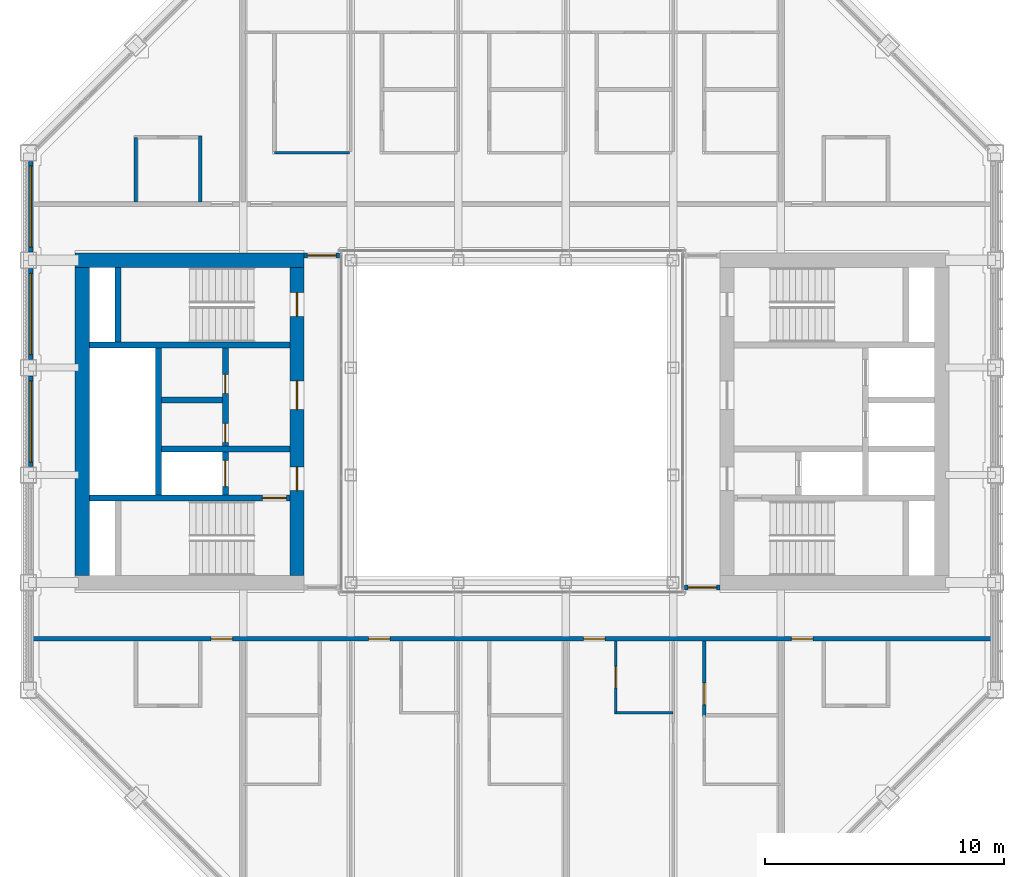
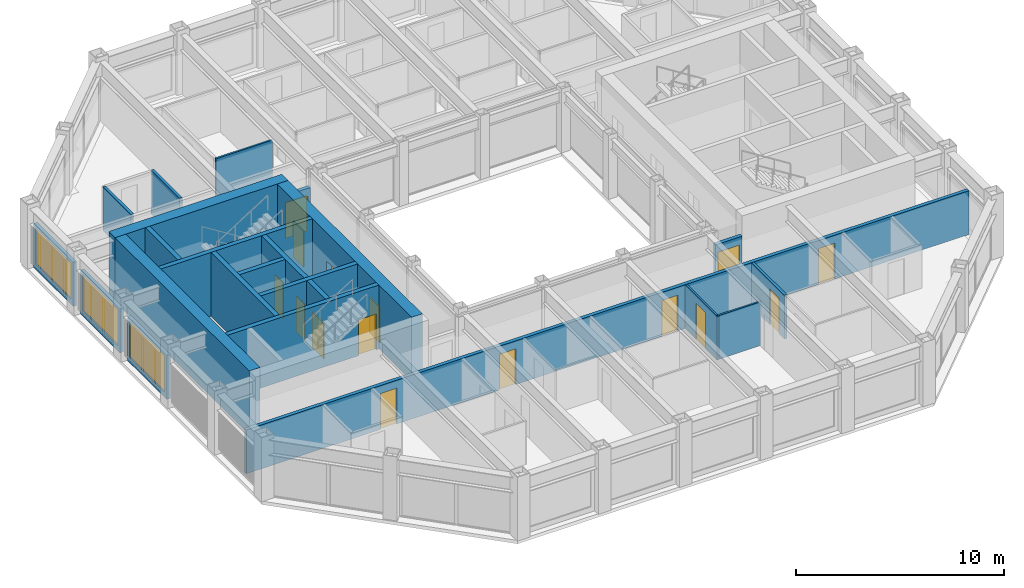
# One storey, part 10 of 17: 22 walls, 15 doors, 3 windows, 18 openings.
"""IFC4 building model written with IfcOpenShell, lengths in metres."""

from ifc_helpers import new_model, si_unit, direction, frame, frame_2d, origin, place, context, subcontext, project, spatial, rectangle, extrude, material, layer, layer_set, type_object, element, fill, save


model = new_model("IFC4")

# Units and contexts
model_context = context("Model", 3, precision=1e-05, world=origin(), true_north=direction((0.0, 1.0)))
body_context = subcontext(model_context, "Body", "Model", "MODEL_VIEW")
ifc_project = project(units=[si_unit("LENGTHUNIT", "METRE"), si_unit("AREAUNIT", "SQUARE_METRE"), si_unit("VOLUMEUNIT", "CUBIC_METRE"), si_unit("PLANEANGLEUNIT", "RADIAN"), si_unit("MASSUNIT", "GRAM", prefix="KILO")], contexts=[model_context])

# Site, building, storey
site_placement = place(None, origin())
site = spatial("IfcSite", under=ifc_project, at=site_placement, CompositionType="ELEMENT")
building_placement = place(site_placement, origin())
building = spatial("IfcBuilding", under=site, at=building_placement, Name="Msasa Ring Tower", CompositionType="ELEMENT")
storey_placement = place(building_placement, frame((0.0, 0.0, 253.300048828125)))
storey = spatial("IfcBuildingStorey", under=building, at=storey_placement, Name="L66", CompositionType="ELEMENT", Elevation=253.300048828125)

# Wall
ifc_material_1 = material(Name="Concrete C60/75", Category="concrete")
ifc_layer_1 = layer(ifc_material_1, 0.60009765625)
ifc_layer_set_1 = layer_set([ifc_layer_1], Name="CW3 CORE WALL 600")
wall_type_1 = type_object("IfcWallType", Name="CW3 CORE WALL 600", PredefinedType="SHEAR", material=ifc_layer_set_1)
wall_1_placement = place(storey_placement, frame((-8.699951171875, 6.75, 0.0), z_axis=(0.0, 0.0, 1.0), x_axis=(-1.0, 0.0, 0.0)))
element("IfcWall", 1, at=wall_1_placement, inside=storey, type_object=wall_type_1, Name="W core wall N L66", PredefinedType="SHEAR", context=body_context, shape_type="SweptSolid", body=[
    extrude(rectangle(XDim=9.60009765625, YDim=0.60009765625, at=frame_2d((4.800048828125, 0.0))), origin(), (0.0, 0.0, 1.0), 3.75),
])

# Wall, openings, doors
wall_2_placement = place(storey_placement, frame((-9.0, -6.449951171875, 0.0), z_axis=(0.0, 0.0, 1.0), x_axis=(0.0, 1.0, 0.0)))
wall_2 = element("IfcWall", 2, at=wall_2_placement, inside=storey, type_object=wall_type_1, Name="W core wall W L66", PredefinedType="SHEAR", context=body_context, shape_type="SweptSolid", body=[
    extrude(rectangle(XDim=12.89990234375, YDim=0.60009765625, at=frame_2d((6.449951171875, 0.0))), origin(), (0.0, 0.0, 1.0), 3.75),
])
opening_1_placement = place(wall_2_placement, frame((3.550048828125, 0.0, 0.0)))
opening_1 = element("IfcOpeningElement", 3, at=opening_1_placement, cuts=wall_2, Name="Opening SE-028", PredefinedType="OPENING", context=body_context, shape_type="SweptSolid", body=[
    extrude(rectangle(XDim=1.0, YDim=2.10009765625, at=frame_2d((0.5, 1.050048828125))), frame((0.0, 0.31005859375, 0.0), z_axis=(0.0, -1.0, 0.0), x_axis=(1.0, 0.0, 0.0)), (0.0, 0.0, 1.0), 0.6201171875),
])
opening_2_placement = place(wall_2_placement, frame((6.949951171875, 0.0, 0.0)))
opening_2 = element("IfcOpeningElement", 4, at=opening_2_placement, cuts=wall_2, Name="Opening SE-025", PredefinedType="OPENING", context=body_context, shape_type="SweptSolid", body=[
    extrude(rectangle(XDim=1.199951171875, YDim=2.10009765625, at=frame_2d((0.60009765625, 1.050048828125))), frame((0.0, 0.31005859375, 0.0), z_axis=(0.0, -1.0, 0.0), x_axis=(1.0, 0.0, 0.0)), (0.0, 0.0, 1.0), 0.6201171875),
])
opening_3_placement = place(wall_2_placement, frame((10.85009765625, 0.0, 0.0)))
opening_3 = element("IfcOpeningElement", 5, at=opening_3_placement, cuts=wall_2, Name="Opening SE-022", PredefinedType="OPENING", context=body_context, shape_type="SweptSolid", body=[
    extrude(rectangle(XDim=1.0, YDim=2.10009765625, at=frame_2d((0.5, 1.050048828125))), frame((0.0, 0.31005859375, 0.0), z_axis=(0.0, -1.0, 0.0), x_axis=(1.0, 0.0, 0.0)), (0.0, 0.0, 1.0), 0.6201171875),
])
ifc_material_2 = material(Name="Timber door leaf in a steel frame", Category="steel")
door_type_1 = type_object("IfcDoorType", Name="D4 LOBBY DOOR 1000x2100", OperationType="SINGLE_SWING_LEFT", PredefinedType="DOOR", material=ifc_material_2)
door_1_placement = place(opening_1_placement, origin())
door_1 = element("IfcDoor", 6, at=door_1_placement, inside=storey, type_object=door_type_1, Name="Door L66-WFFL", OperationType="SINGLE_SWING_LEFT", OverallHeight=2.10009765625, OverallWidth=1.0, PredefinedType="DOOR", context=body_context, shape_type="SweptSolid", body=[
    extrude(rectangle(XDim=1.0, YDim=2.10009765625, at=frame_2d((0.5, 1.050048828125))), frame((0.0, 0.02490234375, 0.0), z_axis=(0.0, -1.0, 0.0), x_axis=(1.0, 0.0, 0.0)), (0.0, 0.0, 1.0), 0.050048828125),
])
fill(opening_1, door_1)
ifc_material_3 = material(Name="Timber door leaf in a steel frame", Category="steel")
door_type_2 = type_object("IfcDoorType", Name="D5 WIDE LOBBY DOOR 1200x2100", OperationType="SINGLE_SWING_LEFT", PredefinedType="DOOR", material=ifc_material_3)
door_2_placement = place(opening_2_placement, origin())
door_2 = element("IfcDoor", 7, at=door_2_placement, inside=storey, type_object=door_type_2, Name="Door L66-WLL", OperationType="SINGLE_SWING_RIGHT", OverallHeight=2.10009765625, OverallWidth=1.199951171875, PredefinedType="DOOR", context=body_context, shape_type="SweptSolid", body=[
    extrude(rectangle(XDim=1.199951171875, YDim=2.10009765625, at=frame_2d((0.60009765625, 1.050048828125))), frame((0.0, 0.02490234375, 0.0), z_axis=(0.0, -1.0, 0.0), x_axis=(1.0, 0.0, 0.0)), (0.0, 0.0, 1.0), 0.050048828125),
])
fill(opening_2, door_2)
ifc_material_4 = material(Name="Timber door leaf in a steel frame", Category="steel")
door_type_3 = type_object("IfcDoorType", Name="D6 STAIR DOOR 1000x2100", OperationType="SINGLE_SWING_LEFT", PredefinedType="DOOR", material=ifc_material_4)
door_3_placement = place(opening_3_placement, origin())
door_3 = element("IfcDoor", 8, at=door_3_placement, inside=storey, type_object=door_type_3, Name="Door L66-WSTB", OperationType="SINGLE_SWING_RIGHT", OverallHeight=2.10009765625, OverallWidth=1.0, PredefinedType="DOOR", context=body_context, shape_type="SweptSolid", body=[
    extrude(rectangle(XDim=1.0, YDim=2.10009765625, at=frame_2d((0.5, 1.050048828125))), frame((0.0, 0.02490234375, 0.0), z_axis=(0.0, -1.0, 0.0), x_axis=(1.0, 0.0, 0.0)), (0.0, 0.0, 1.0), 0.050048828125),
])
fill(opening_3, door_3)

# Wall
wall_3_placement = place(storey_placement, frame((-18.0, -6.449951171875, 0.0), z_axis=(0.0, 0.0, 1.0), x_axis=(0.0, 1.0, 0.0)))
element("IfcWall", 9, at=wall_3_placement, inside=storey, type_object=wall_type_1, Name="W core wall E L66", PredefinedType="SHEAR", context=body_context, shape_type="SweptSolid", body=[
    extrude(rectangle(XDim=12.89990234375, YDim=0.60009765625, at=frame_2d((6.449951171875, 0.0))), origin(), (0.0, 0.0, 1.0), 3.75),
])

# Wall, opening, door
ifc_material_5 = material(Name="Concrete C60/75", Category="concrete")
ifc_layer_2 = layer(ifc_material_5, 0.25)
ifc_layer_set_2 = layer_set([ifc_layer_2], Name="CW4 CORE INNER WALL 250")
wall_type_2 = type_object("IfcWallType", Name="CW4 CORE INNER WALL 250", PredefinedType="SHEAR", material=ifc_layer_set_2)
wall_4_placement = place(storey_placement, frame((-9.300048828125, -3.199951171875, 0.0), z_axis=(0.0, 0.0, 1.0), x_axis=(-1.0, 0.0, 0.0)))
wall_4 = element("IfcWall", 10, at=wall_4_placement, inside=storey, type_object=wall_type_2, Name="W core wall STAIRA L66", PredefinedType="SHEAR", context=body_context, shape_type="SweptSolid", body=[
    extrude(rectangle(XDim=8.39990234375, YDim=0.25, at=frame_2d((4.199951171875, 0.0))), origin(), (0.0, 0.0, 1.0), 3.75),
])
opening_4_placement = place(wall_4_placement, frame((0.14990234375, 0.0, 0.0)))
opening_4 = element("IfcOpeningElement", 11, at=opening_4_placement, cuts=wall_4, Name="Opening SE-030", PredefinedType="OPENING", context=body_context, shape_type="SweptSolid", body=[
    extrude(rectangle(XDim=1.0, YDim=2.10009765625, at=frame_2d((0.5, 1.050048828125))), frame((0.0, 0.135009765625, 0.0), z_axis=(0.0, -1.0, 0.0), x_axis=(1.0, 0.0, 0.0)), (0.0, 0.0, 1.0), 0.27001953125),
])
door_4_placement = place(opening_4_placement, origin())
door_4 = element("IfcDoor", 12, at=door_4_placement, inside=storey, type_object=door_type_3, Name="Door L66-WSTA", OperationType="SINGLE_SWING_LEFT", OverallHeight=2.10009765625, OverallWidth=1.0, PredefinedType="DOOR", context=body_context, shape_type="SweptSolid", body=[
    extrude(rectangle(XDim=1.0, YDim=2.10009765625, at=frame_2d((0.5, 1.050048828125))), frame((0.0, 0.02490234375, 0.0), z_axis=(0.0, -1.0, 0.0), x_axis=(1.0, 0.0, 0.0)), (0.0, 0.0, 1.0), 0.050048828125),
])
fill(opening_4, door_4)

# Walls
wall_5_placement = place(storey_placement, frame((-9.300048828125, 3.199951171875, 0.0), z_axis=(0.0, 0.0, 1.0), x_axis=(-1.0, 0.0, 0.0)))
element("IfcWall", 13, at=wall_5_placement, inside=storey, type_object=wall_type_2, Name="W core wall STAIRB L66", PredefinedType="SHEAR", context=body_context, shape_type="SweptSolid", body=[
    extrude(rectangle(XDim=8.39990234375, YDim=0.25, at=frame_2d((4.199951171875, 0.0))), origin(), (0.0, 0.0, 1.0), 3.75),
])
wall_6_placement = place(storey_placement, frame((-16.5, 3.324951171875, 0.0), z_axis=(0.0, 0.0, 1.0), x_axis=(0.0, 1.0, 0.0)))
element("IfcWall", 14, at=wall_6_placement, inside=storey, type_object=wall_type_2, Name="W core wall RISERB L66", PredefinedType="SHEAR", context=body_context, shape_type="SweptSolid", body=[
    extrude(rectangle(XDim=3.125, YDim=0.25, at=frame_2d((1.5625, 0.0))), origin(), (0.0, 0.0, 1.0), 3.75),
])
wall_7_placement = place(storey_placement, frame((-9.300048828125, -1.14990234375, 0.0), z_axis=(0.0, 0.0, 1.0), x_axis=(-1.0, 0.0, 0.0)))
element("IfcWall", 15, at=wall_7_placement, inside=storey, type_object=wall_type_2, Name="W core wall FFL L66", PredefinedType="SHEAR", context=body_context, shape_type="SweptSolid", body=[
    extrude(rectangle(XDim=5.375, YDim=0.25, at=frame_2d((2.6875, 0.0))), origin(), (0.0, 0.0, 1.0), 3.75),
])

# Wall, openings, doors
wall_8_placement = place(storey_placement, frame((-12.0, -3.074951171875, 0.0), z_axis=(0.0, 0.0, 1.0), x_axis=(0.0, 1.0, 0.0)))
wall_8 = element("IfcWall", 16, at=wall_8_placement, inside=storey, type_object=wall_type_2, Name="W core wall LOBBY L66", PredefinedType="SHEAR", context=body_context, shape_type="SweptSolid", body=[
    extrude(rectangle(XDim=6.14990234375, YDim=0.25, at=frame_2d((3.074951171875, 0.0))), origin(), (0.0, 0.0, 1.0), 3.75),
])
opening_5_placement = place(wall_8_placement, frame((2.199951171875, 0.0, 0.0)))
opening_5 = element("IfcOpeningElement", 17, at=opening_5_placement, cuts=wall_8, Name="Opening SE-027", PredefinedType="OPENING", context=body_context, shape_type="SweptSolid", body=[
    extrude(rectangle(XDim=0.800048828125, YDim=2.10009765625, at=frame_2d((0.39990234375, 1.050048828125))), frame((0.0, 0.135009765625, 0.0), z_axis=(0.0, -1.0, 0.0), x_axis=(1.0, 0.0, 0.0)), (0.0, 0.0, 1.0), 0.27001953125),
])
opening_6_placement = place(wall_8_placement, frame((4.25, 0.0, 0.0)))
opening_6 = element("IfcOpeningElement", 18, at=opening_6_placement, cuts=wall_8, Name="Opening SE-024", PredefinedType="OPENING", context=body_context, shape_type="SweptSolid", body=[
    extrude(rectangle(XDim=0.800048828125, YDim=2.10009765625, at=frame_2d((0.39990234375, 1.050048828125))), frame((0.0, 0.135009765625, 0.0), z_axis=(0.0, -1.0, 0.0), x_axis=(1.0, 0.0, 0.0)), (0.0, 0.0, 1.0), 0.27001953125),
])
opening_7_placement = place(wall_8_placement, frame((0.35009765625, 0.0, 0.0)))
opening_7 = element("IfcOpeningElement", 19, at=opening_7_placement, cuts=wall_8, Name="Opening LD1", PredefinedType="OPENING", context=body_context, shape_type="SweptSolid", body=[
    extrude(rectangle(XDim=1.10009765625, YDim=2.10009765625, at=frame_2d((0.550048828125, 1.050048828125))), frame((0.0, 0.135009765625, 0.0), z_axis=(0.0, -1.0, 0.0), x_axis=(1.0, 0.0, 0.0)), (0.0, 0.0, 1.0), 0.27001953125),
])
ifc_material_6 = material(Name="Timber door leaf in a steel frame", Category="steel")
door_type_4 = type_object("IfcDoorType", Name="D9 NARROW SERVICE DOOR 800x2100", OperationType="SINGLE_SWING_LEFT", PredefinedType="DOOR", material=ifc_material_6)
door_5_placement = place(opening_5_placement, origin())
door_5 = element("IfcDoor", 20, at=door_5_placement, inside=storey, type_object=door_type_4, Name="Door L66-WR1", OperationType="SINGLE_SWING_LEFT", OverallHeight=2.10009765625, OverallWidth=0.800048828125, PredefinedType="DOOR", context=body_context, shape_type="SweptSolid", body=[
    extrude(rectangle(XDim=0.800048828125, YDim=2.10009765625, at=frame_2d((0.39990234375, 1.050048828125))), frame((0.0, 0.02490234375, 0.0), z_axis=(0.0, -1.0, 0.0), x_axis=(1.0, 0.0, 0.0)), (0.0, 0.0, 1.0), 0.050048828125),
])
fill(opening_5, door_5)
door_6_placement = place(opening_6_placement, origin())
door_6 = element("IfcDoor", 21, at=door_6_placement, inside=storey, type_object=door_type_4, Name="Door L66-WR2", OperationType="SINGLE_SWING_RIGHT", OverallHeight=2.10009765625, OverallWidth=0.800048828125, PredefinedType="DOOR", context=body_context, shape_type="SweptSolid", body=[
    extrude(rectangle(XDim=0.800048828125, YDim=2.10009765625, at=frame_2d((0.39990234375, 1.050048828125))), frame((0.0, 0.02490234375, 0.0), z_axis=(0.0, -1.0, 0.0), x_axis=(1.0, 0.0, 0.0)), (0.0, 0.0, 1.0), 0.050048828125),
])
fill(opening_6, door_6)
ifc_material_7 = material(Name="Stainless steel lift landing door", Category="steel")
door_type_5 = type_object("IfcDoorType", Name="LD1 LIFT LANDING DOOR 1100x2100", OperationType="DOUBLE_DOOR_SLIDING", PredefinedType="DOOR", material=ifc_material_7)
door_7_placement = place(opening_7_placement, origin())
door_7 = element("IfcDoor", 22, at=door_7_placement, inside=storey, type_object=door_type_5, Name="Lift landing door FL-W L66", OperationType="DOUBLE_DOOR_SLIDING", OverallHeight=2.10009765625, OverallWidth=1.10009765625, PredefinedType="DOOR", context=body_context, shape_type="SweptSolid", body=[
    extrude(rectangle(XDim=1.10009765625, YDim=2.10009765625, at=frame_2d((0.550048828125, 1.050048828125))), frame((0.0, 0.02490234375, 0.0), z_axis=(0.0, -1.0, 0.0), x_axis=(1.0, 0.0, 0.0)), (0.0, 0.0, 1.0), 0.050048828125),
])
fill(opening_7, door_7)

# Walls
wall_9_placement = place(storey_placement, frame((-14.800048828125, -3.074951171875, 0.0), z_axis=(0.0, 0.0, 1.0), x_axis=(0.0, 1.0, 0.0)))
element("IfcWall", 23, at=wall_9_placement, inside=storey, type_object=wall_type_2, Name="W core wall SHAFT L66", PredefinedType="SHEAR", context=body_context, shape_type="SweptSolid", body=[
    extrude(rectangle(XDim=6.14990234375, YDim=0.25, at=frame_2d((3.074951171875, 0.0))), origin(), (0.0, 0.0, 1.0), 3.75),
])
wall_10_placement = place(storey_placement, frame((-12.125, 0.89990234375, 0.0), z_axis=(0.0, 0.0, 1.0), x_axis=(-1.0, 0.0, 0.0)))
element("IfcWall", 24, at=wall_10_placement, inside=storey, type_object=wall_type_2, Name="W core wall LIFT1 L66", PredefinedType="SHEAR", context=body_context, shape_type="SweptSolid", body=[
    extrude(rectangle(XDim=2.550048828125, YDim=0.25, at=frame_2d((1.27490234375, 0.0))), origin(), (0.0, 0.0, 1.0), 3.75),
])

# Wall, opening, window
ifc_material_8 = material(Name="Terracotta rainscreen on blockwork", Category="masonry")
ifc_layer_3 = layer(ifc_material_8, 0.199951171875)
ifc_layer_set_3 = layer_set([ifc_layer_3], Name="FW1 TERRACOTTA-LINED INFILL BAY WALL 200")
wall_type_3 = type_object("IfcWallType", Name="FW1 TERRACOTTA-LINED INFILL BAY WALL 200", PredefinedType="SOLIDWALL", material=ifc_layer_set_3)
wall_11_placement = place(storey_placement, frame((-20.14990234375, -1.89501953125, 0.0), z_axis=(0.0, 0.0, 1.0), x_axis=(0.0, 1.0, 0.0)))
wall_11 = element("IfcWall", 25, at=wall_11_placement, inside=storey, type_object=wall_type_3, Name="Infill bay wall W L66 23", PredefinedType="SOLIDWALL", context=body_context, shape_type="SweptSolid", body=[
    extrude(rectangle(XDim=3.7900390625, YDim=0.199951171875, at=frame_2d((1.89501953125, 0.0))), origin(), (0.0, 0.0, 1.0), 2.578857421875),
])
opening_8_placement = place(wall_11_placement, frame((0.195068359375, 0.0, 0.300048828125)))
opening_8 = element("IfcOpeningElement", 26, at=opening_8_placement, cuts=wall_11, Name="Opening WN8", PredefinedType="OPENING", context=body_context, shape_type="SweptSolid", body=[
    extrude(rectangle(XDim=3.39990234375, YDim=2.12890625, at=frame_2d((1.699951171875, 1.064453125))), frame((0.0, 0.10986328125, 0.0), z_axis=(0.0, -1.0, 0.0), x_axis=(1.0, 0.0, 0.0)), (0.0, 0.0, 1.0), 0.219970703125),
])
ifc_material_9 = material(Name="Aluminium frame with clear glass", Category="aluminium")
window_type = type_object("IfcWindowType", Name="WN8 SUITE WINDOW 3400x2129", PartitioningType="SINGLE_PANEL", PredefinedType="WINDOW", material=ifc_material_9)
window_1_placement = place(opening_8_placement, origin())
window_1 = element("IfcWindow", 27, at=window_1_placement, inside=storey, type_object=window_type, Name="Window W L66 23", OverallHeight=2.12890625, OverallWidth=3.39990234375, PartitioningType="SINGLE_PANEL", PredefinedType="WINDOW", context=body_context, shape_type="SweptSolid", body=[
    extrude(rectangle(XDim=3.39990234375, YDim=2.12890625, at=frame_2d((1.699951171875, 1.064453125))), frame((0.0, 0.030029296875, 0.0), z_axis=(0.0, -1.0, 0.0), x_axis=(1.0, 0.0, 0.0)), (0.0, 0.0, 1.0), 0.06005859375),
])
fill(opening_8, window_1)

wall_12_placement = place(storey_placement, frame((-20.14990234375, 2.60498046875, 0.0), z_axis=(0.0, 0.0, 1.0), x_axis=(0.0, 1.0, 0.0)))
wall_12 = element("IfcWall", 28, at=wall_12_placement, inside=storey, type_object=wall_type_3, Name="Infill bay wall W L66 24", PredefinedType="SOLIDWALL", context=body_context, shape_type="SweptSolid", body=[
    extrude(rectangle(XDim=3.7900390625, YDim=0.199951171875, at=frame_2d((1.89501953125, 0.0))), origin(), (0.0, 0.0, 1.0), 2.578857421875),
])
opening_9_placement = place(wall_12_placement, frame((0.195068359375, 0.0, 0.300048828125)))
opening_9 = element("IfcOpeningElement", 29, at=opening_9_placement, cuts=wall_12, Name="Opening WN8", PredefinedType="OPENING", context=body_context, shape_type="SweptSolid", body=[
    extrude(rectangle(XDim=3.39990234375, YDim=2.12890625, at=frame_2d((1.699951171875, 1.064453125))), frame((0.0, 0.10986328125, 0.0), z_axis=(0.0, -1.0, 0.0), x_axis=(1.0, 0.0, 0.0)), (0.0, 0.0, 1.0), 0.219970703125),
])
window_2_placement = place(opening_9_placement, origin())
window_2 = element("IfcWindow", 30, at=window_2_placement, inside=storey, type_object=window_type, Name="Window W L66 24", OverallHeight=2.12890625, OverallWidth=3.39990234375, PartitioningType="SINGLE_PANEL", PredefinedType="WINDOW", context=body_context, shape_type="SweptSolid", body=[
    extrude(rectangle(XDim=3.39990234375, YDim=2.12890625, at=frame_2d((1.699951171875, 1.064453125))), frame((0.0, 0.030029296875, 0.0), z_axis=(0.0, -1.0, 0.0), x_axis=(1.0, 0.0, 0.0)), (0.0, 0.0, 1.0), 0.06005859375),
])
fill(opening_9, window_2)

wall_13_placement = place(storey_placement, frame((-20.14990234375, 7.10498046875, 0.0), z_axis=(0.0, 0.0, 1.0), x_axis=(0.0, 1.0, 0.0)))
wall_13 = element("IfcWall", 31, at=wall_13_placement, inside=storey, type_object=wall_type_3, Name="Infill bay wall W L66 25", PredefinedType="SOLIDWALL", context=body_context, shape_type="SweptSolid", body=[
    extrude(rectangle(XDim=3.7900390625, YDim=0.199951171875, at=frame_2d((1.89501953125, 0.0))), origin(), (0.0, 0.0, 1.0), 2.578857421875),
])
opening_10_placement = place(wall_13_placement, frame((0.195068359375, 0.0, 0.300048828125)))
opening_10 = element("IfcOpeningElement", 32, at=opening_10_placement, cuts=wall_13, Name="Opening WN8", PredefinedType="OPENING", context=body_context, shape_type="SweptSolid", body=[
    extrude(rectangle(XDim=3.39990234375, YDim=2.12890625, at=frame_2d((1.699951171875, 1.064453125))), frame((0.0, 0.10986328125, 0.0), z_axis=(0.0, -1.0, 0.0), x_axis=(1.0, 0.0, 0.0)), (0.0, 0.0, 1.0), 0.219970703125),
])
window_3_placement = place(opening_10_placement, origin())
window_3 = element("IfcWindow", 33, at=window_3_placement, inside=storey, type_object=window_type, Name="Window W L66 25", OverallHeight=2.12890625, OverallWidth=3.39990234375, PartitioningType="SINGLE_PANEL", PredefinedType="WINDOW", context=body_context, shape_type="SweptSolid", body=[
    extrude(rectangle(XDim=3.39990234375, YDim=2.12890625, at=frame_2d((1.699951171875, 1.064453125))), frame((0.0, 0.030029296875, 0.0), z_axis=(0.0, -1.0, 0.0), x_axis=(1.0, 0.0, 0.0)), (0.0, 0.0, 1.0), 0.06005859375),
])
fill(opening_10, window_3)

# Wall, opening, door
ifc_material_10 = material(Name="Concrete blockwork", Category="masonry")
ifc_layer_4 = layer(ifc_material_10, 0.199951171875)
ifc_layer_set_4 = layer_set([ifc_layer_4], Name="PT1 CORRIDOR WALL 200")
wall_type_4 = type_object("IfcWallType", Name="PT1 CORRIDOR WALL 200", PredefinedType="PARTITIONING", material=ifc_layer_set_4)
wall_14_placement = place(storey_placement, frame((7.22998046875, -6.949951171875, 0.0), z_axis=(0.0, 0.0, 1.0), x_axis=(1.0, 0.0, 0.0)))
wall_14 = element("IfcWall", 34, at=wall_14_placement, inside=storey, type_object=wall_type_4, Name="Corridor wall L66-SDES", PredefinedType="PARTITIONING", context=body_context, shape_type="SweptSolid", body=[
    extrude(rectangle(XDim=1.469970703125, YDim=0.199951171875, at=frame_2d((0.73486328125, 0.0))), origin(), (0.0, 0.0, 1.0), 2.5732421875),
])
opening_11_placement = place(wall_14_placement, frame((0.135009765625, 0.0, 0.0)))
opening_11 = element("IfcOpeningElement", 35, at=opening_11_placement, cuts=wall_14, Name="Opening SE-033", PredefinedType="OPENING", context=body_context, shape_type="SweptSolid", body=[
    extrude(rectangle(XDim=1.199951171875, YDim=2.10009765625, at=frame_2d((0.60009765625, 1.050048828125))), frame((0.0, 0.10986328125, 0.0), z_axis=(0.0, -1.0, 0.0), x_axis=(1.0, 0.0, 0.0)), (0.0, 0.0, 1.0), 0.219970703125),
])
ifc_material_11 = material(Name="Timber door leaf in a steel frame", Category="steel")
door_type_6 = type_object("IfcDoorType", Name="D25 CORRIDOR PAIR OF SMOKE DOORS 1200x2100", OperationType="DOUBLE_DOOR_DOUBLE_SWING", PredefinedType="DOOR", material=ifc_material_11)
door_8_placement = place(opening_11_placement, origin())
door_8 = element("IfcDoor", 36, at=door_8_placement, inside=storey, type_object=door_type_6, Name="Door L66-SDES", OperationType="DOUBLE_DOOR_DOUBLE_SWING", OverallHeight=2.10009765625, OverallWidth=1.199951171875, PredefinedType="DOOR", context=body_context, shape_type="SweptSolid", body=[
    extrude(rectangle(XDim=1.199951171875, YDim=2.10009765625, at=frame_2d((0.60009765625, 1.050048828125))), frame((0.0, 0.02490234375, 0.0), z_axis=(0.0, -1.0, 0.0), x_axis=(1.0, 0.0, 0.0)), (0.0, 0.0, 1.0), 0.050048828125),
])
fill(opening_11, door_8)

wall_15_placement = place(storey_placement, frame((-8.699951171875, 6.949951171875, 0.0), z_axis=(0.0, 0.0, 1.0), x_axis=(1.0, 0.0, 0.0)))
wall_15 = element("IfcWall", 37, at=wall_15_placement, inside=storey, type_object=wall_type_4, Name="Corridor wall L66-SDWN", PredefinedType="PARTITIONING", context=body_context, shape_type="SweptSolid", body=[
    extrude(rectangle(XDim=1.469970703125, YDim=0.199951171875, at=frame_2d((0.73486328125, 0.0))), origin(), (0.0, 0.0, 1.0), 2.5732421875),
])
opening_12_placement = place(wall_15_placement, frame((0.135009765625, 0.0, 0.0)))
opening_12 = element("IfcOpeningElement", 38, at=opening_12_placement, cuts=wall_15, Name="Opening SE-020", PredefinedType="OPENING", context=body_context, shape_type="SweptSolid", body=[
    extrude(rectangle(XDim=1.199951171875, YDim=2.10009765625, at=frame_2d((0.60009765625, 1.050048828125))), frame((0.0, 0.10986328125, 0.0), z_axis=(0.0, -1.0, 0.0), x_axis=(1.0, 0.0, 0.0)), (0.0, 0.0, 1.0), 0.219970703125),
])
door_9_placement = place(opening_12_placement, origin())
door_9 = element("IfcDoor", 39, at=door_9_placement, inside=storey, type_object=door_type_6, Name="Door L66-SDWN", OperationType="DOUBLE_DOOR_DOUBLE_SWING", OverallHeight=2.10009765625, OverallWidth=1.199951171875, PredefinedType="DOOR", context=body_context, shape_type="SweptSolid", body=[
    extrude(rectangle(XDim=1.199951171875, YDim=2.10009765625, at=frame_2d((0.60009765625, 1.050048828125))), frame((0.0, 0.02490234375, 0.0), z_axis=(0.0, -1.0, 0.0), x_axis=(1.0, 0.0, 0.0)), (0.0, 0.0, 1.0), 0.050048828125),
])
fill(opening_12, door_9)

# Wall, openings, doors
wall_16_placement = place(storey_placement, frame((-20.050048828125, -9.10009765625, 0.0), z_axis=(0.0, 0.0, 1.0), x_axis=(1.0, 0.0, 0.0)))
wall_16 = element("IfcWall", 40, at=wall_16_placement, inside=storey, type_object=wall_type_4, Name="Corridor wall L66-CORRS0", PredefinedType="PARTITIONING", context=body_context, shape_type="SweptSolid", body=[
    extrude(rectangle(XDim=40.10009765625, YDim=0.199951171875, at=frame_2d((20.050048828125, 0.0))), origin(), (0.0, 0.0, 1.0), 2.5732421875),
])
opening_13_placement = place(wall_16_placement, frame((14.050048828125, 0.0, 0.0)))
opening_13 = element("IfcOpeningElement", 41, at=opening_13_placement, cuts=wall_16, Name="Opening SE-035", PredefinedType="OPENING", context=body_context, shape_type="SweptSolid", body=[
    extrude(rectangle(XDim=0.89990234375, YDim=2.10009765625, at=frame_2d((0.449951171875, 1.050048828125))), frame((0.0, 0.10986328125, 0.0), z_axis=(0.0, -1.0, 0.0), x_axis=(1.0, 0.0, 0.0)), (0.0, 0.0, 1.0), 0.219970703125),
])
opening_14_placement = place(wall_16_placement, frame((23.050048828125, 0.0, 0.0)))
opening_14 = element("IfcOpeningElement", 42, at=opening_14_placement, cuts=wall_16, Name="Opening SE-036", PredefinedType="OPENING", context=body_context, shape_type="SweptSolid", body=[
    extrude(rectangle(XDim=0.89990234375, YDim=2.10009765625, at=frame_2d((0.449951171875, 1.050048828125))), frame((0.0, 0.10986328125, 0.0), z_axis=(0.0, -1.0, 0.0), x_axis=(1.0, 0.0, 0.0)), (0.0, 0.0, 1.0), 0.219970703125),
])
opening_15_placement = place(wall_16_placement, frame((31.75, 0.0, 0.0)))
opening_15 = element("IfcOpeningElement", 43, at=opening_15_placement, cuts=wall_16, Name="Opening SE-037", PredefinedType="OPENING", context=body_context, shape_type="SweptSolid", body=[
    extrude(rectangle(XDim=0.89990234375, YDim=2.10009765625, at=frame_2d((0.449951171875, 1.050048828125))), frame((0.0, 0.10986328125, 0.0), z_axis=(0.0, -1.0, 0.0), x_axis=(1.0, 0.0, 0.0)), (0.0, 0.0, 1.0), 0.219970703125),
])
opening_16_placement = place(wall_16_placement, frame((7.449951171875, 0.0, 0.0)))
opening_16 = element("IfcOpeningElement", 44, at=opening_16_placement, cuts=wall_16, Name="Opening SE-034", PredefinedType="OPENING", context=body_context, shape_type="SweptSolid", body=[
    extrude(rectangle(XDim=0.89990234375, YDim=2.10009765625, at=frame_2d((0.449951171875, 1.050048828125))), frame((0.0, 0.10986328125, 0.0), z_axis=(0.0, -1.0, 0.0), x_axis=(1.0, 0.0, 0.0)), (0.0, 0.0, 1.0), 0.219970703125),
])
ifc_material_12 = material(Name="Timber door leaf in a steel frame", Category="steel")
door_type_7 = type_object("IfcDoorType", Name="D2 ENTRANCE DOOR 900x2100", OperationType="SINGLE_SWING_LEFT", PredefinedType="DOOR", material=ifc_material_12)
door_10_placement = place(opening_13_placement, origin())
door_10 = element("IfcDoor", 45, at=door_10_placement, inside=storey, type_object=door_type_7, Name="Door L66-JS00", OperationType="SINGLE_SWING_LEFT", OverallHeight=2.10009765625, OverallWidth=0.89990234375, PredefinedType="DOOR", context=body_context, shape_type="SweptSolid", body=[
    extrude(rectangle(XDim=0.89990234375, YDim=2.10009765625, at=frame_2d((0.449951171875, 1.050048828125))), frame((0.0, 0.02490234375, 0.0), z_axis=(0.0, -1.0, 0.0), x_axis=(1.0, 0.0, 0.0)), (0.0, 0.0, 1.0), 0.050048828125),
])
fill(opening_13, door_10)
door_11_placement = place(opening_14_placement, origin())
door_11 = element("IfcDoor", 46, at=door_11_placement, inside=storey, type_object=door_type_7, Name="Door L66-JS01", OperationType="SINGLE_SWING_RIGHT", OverallHeight=2.10009765625, OverallWidth=0.89990234375, PredefinedType="DOOR", context=body_context, shape_type="SweptSolid", body=[
    extrude(rectangle(XDim=0.89990234375, YDim=2.10009765625, at=frame_2d((0.449951171875, 1.050048828125))), frame((0.0, 0.02490234375, 0.0), z_axis=(0.0, -1.0, 0.0), x_axis=(1.0, 0.0, 0.0)), (0.0, 0.0, 1.0), 0.050048828125),
])
fill(opening_14, door_11)
door_12_placement = place(opening_15_placement, origin())
door_12 = element("IfcDoor", 47, at=door_12_placement, inside=storey, type_object=door_type_7, Name="Door L66-CSSE", OperationType="SINGLE_SWING_RIGHT", OverallHeight=2.10009765625, OverallWidth=0.89990234375, PredefinedType="DOOR", context=body_context, shape_type="SweptSolid", body=[
    extrude(rectangle(XDim=0.89990234375, YDim=2.10009765625, at=frame_2d((0.449951171875, 1.050048828125))), frame((0.0, 0.02490234375, 0.0), z_axis=(0.0, -1.0, 0.0), x_axis=(1.0, 0.0, 0.0)), (0.0, 0.0, 1.0), 0.050048828125),
])
fill(opening_15, door_12)
door_13_placement = place(opening_16_placement, origin())
door_13 = element("IfcDoor", 48, at=door_13_placement, inside=storey, type_object=door_type_7, Name="Door L66-CSSW", OperationType="SINGLE_SWING_LEFT", OverallHeight=2.10009765625, OverallWidth=0.89990234375, PredefinedType="DOOR", context=body_context, shape_type="SweptSolid", body=[
    extrude(rectangle(XDim=0.89990234375, YDim=2.10009765625, at=frame_2d((0.449951171875, 1.050048828125))), frame((0.0, 0.02490234375, 0.0), z_axis=(0.0, -1.0, 0.0), x_axis=(1.0, 0.0, 0.0)), (0.0, 0.0, 1.0), 0.050048828125),
])
fill(opening_16, door_13)

# Wall
ifc_material_13 = material(Name="Gypsum board on steel studs", Category="steel")
ifc_layer_5 = layer(ifc_material_13, 0.10009765625)
ifc_layer_set_5 = layer_set([ifc_layer_5], Name="PT2 STUD PARTITION 100")
wall_type_5 = type_object("IfcWallType", Name="PT2 STUD PARTITION 100", PredefinedType="PARTITIONING", material=ifc_layer_set_5)
wall_17_placement = place(storey_placement, frame((-9.949951171875, 11.25, 0.0), z_axis=(0.0, 0.0, 1.0), x_axis=(1.0, 0.0, 0.0)))
element("IfcWall", 49, at=wall_17_placement, inside=storey, type_object=wall_type_5, Name="Partition L66-JN00HY0", PredefinedType="PARTITIONING", context=body_context, shape_type="SweptSolid", body=[
    extrude(rectangle(XDim=3.139892578125, YDim=0.10009765625, at=frame_2d((1.56982421875, 0.0))), origin(), (0.0, 0.0, 1.0), 2.5732421875),
])

# Wall, opening, door
wall_18_placement = place(storey_placement, frame((4.35009765625, -12.25, 0.0), z_axis=(0.0, 0.0, 1.0), x_axis=(0.0, 1.0, 0.0)))
wall_18 = element("IfcWall", 50, at=wall_18_placement, inside=storey, type_object=wall_type_5, Name="Partition L66-JS01PNX", PredefinedType="PARTITIONING", context=body_context, shape_type="SweptSolid", body=[
    extrude(rectangle(XDim=3.050048828125, YDim=0.10009765625, at=frame_2d((1.52490234375, 0.0))), origin(), (0.0, 0.0, 1.0), 2.5732421875),
])
opening_17_placement = place(wall_18_placement, frame((1.10009765625, 0.0, 0.0)))
opening_17 = element("IfcOpeningElement", 51, at=opening_17_placement, cuts=wall_18, Name="Opening SE-039", PredefinedType="OPENING", context=body_context, shape_type="SweptSolid", body=[
    extrude(rectangle(XDim=0.89990234375, YDim=2.10009765625, at=frame_2d((0.449951171875, 1.050048828125))), frame((0.0, 0.06005859375, 0.0), z_axis=(0.0, -1.0, 0.0), x_axis=(1.0, 0.0, 0.0)), (0.0, 0.0, 1.0), 0.1201171875),
])
ifc_material_14 = material(Name="Timber door leaf in a steel frame", Category="steel")
door_type_8 = type_object("IfcDoorType", Name="D22 INTERNAL HALL DOOR 900x2100", OperationType="SINGLE_SWING_LEFT", PredefinedType="DOOR", material=ifc_material_14)
door_14_placement = place(opening_17_placement, origin())
door_14 = element("IfcDoor", 52, at=door_14_placement, inside=storey, type_object=door_type_8, Name="Door L66-JS01PN", OperationType="SINGLE_SWING_LEFT", OverallHeight=2.10009765625, OverallWidth=0.89990234375, PredefinedType="DOOR", context=body_context, shape_type="SweptSolid", body=[
    extrude(rectangle(XDim=0.89990234375, YDim=2.10009765625, at=frame_2d((0.449951171875, 1.050048828125))), frame((0.0, 0.02490234375, 0.0), z_axis=(0.0, -1.0, 0.0), x_axis=(1.0, 0.0, 0.0)), (0.0, 0.0, 1.0), 0.050048828125),
])
fill(opening_17, door_14)

# Walls
wall_19_placement = place(storey_placement, frame((4.35009765625, -12.199951171875, 0.0), z_axis=(0.0, 0.0, 1.0), x_axis=(1.0, 0.0, 0.0)))
element("IfcWall", 53, at=wall_19_placement, inside=storey, type_object=wall_type_5, Name="Partition L66-JS01PNY", PredefinedType="PARTITIONING", context=body_context, shape_type="SweptSolid", body=[
    extrude(rectangle(XDim=2.39990234375, YDim=0.10009765625, at=frame_2d((1.199951171875, 0.0))), origin(), (0.0, 0.0, 1.0), 2.5732421875),
])
ifc_material_15 = material(Name="Moisture-resistant board on steel studs with a concealed cistern and pipe void, tiled", Category="steel")
ifc_layer_6 = layer(ifc_material_15, 0.14990234375)
ifc_layer_set_6 = layer_set([ifc_layer_6], Name="PT4 BATHROOM WET WALL 150")
wall_type_6 = type_object("IfcWallType", Name="PT4 BATHROOM WET WALL 150", PredefinedType="PARTITIONING", material=ifc_layer_set_6)
wall_20_placement = place(storey_placement, frame((-13.050048828125, 9.199951171875, 0.0), z_axis=(0.0, 0.0, 1.0), x_axis=(0.0, 1.0, 0.0)))
element("IfcWall", 54, at=wall_20_placement, inside=storey, type_object=wall_type_6, Name="Partition L66-CSNWBX", PredefinedType="PARTITIONING", context=body_context, shape_type="SweptSolid", body=[
    extrude(rectangle(XDim=2.75, YDim=0.14990234375, at=frame_2d((1.375, 0.0))), origin(), (0.0, 0.0, 1.0), 2.5732421875),
])
wall_21_placement = place(storey_placement, frame((-15.75, 9.199951171875, 0.0), z_axis=(0.0, 0.0, 1.0), x_axis=(0.0, 1.0, 0.0)))
element("IfcWall", 55, at=wall_21_placement, inside=storey, type_object=wall_type_6, Name="Partition L66-CSNWBE", PredefinedType="PARTITIONING", context=body_context, shape_type="SweptSolid", body=[
    extrude(rectangle(XDim=2.699951171875, YDim=0.14990234375, at=frame_2d((1.35009765625, 0.0))), origin(), (0.0, 0.0, 1.0), 2.5732421875),
])

# Wall, opening, door
wall_22_placement = place(storey_placement, frame((8.050048828125, -12.35009765625, 0.0), z_axis=(0.0, 0.0, 1.0), x_axis=(0.0, 1.0, 0.0)))
wall_22 = element("IfcWall", 56, at=wall_22_placement, inside=storey, type_object=wall_type_6, Name="Partition L66-JS01BX1", PredefinedType="PARTITIONING", context=body_context, shape_type="SweptSolid", body=[
    extrude(rectangle(XDim=3.150146484375, YDim=0.14990234375, at=frame_2d((1.5751953125, 0.0))), origin(), (0.0, 0.0, 1.0), 2.5732421875),
])
opening_18_placement = place(wall_22_placement, frame((0.5, 0.0, 0.0)))
opening_18 = element("IfcOpeningElement", 57, at=opening_18_placement, cuts=wall_22, Name="Opening SE-042", PredefinedType="OPENING", context=body_context, shape_type="SweptSolid", body=[
    extrude(rectangle(XDim=0.89990234375, YDim=2.10009765625, at=frame_2d((0.449951171875, 1.050048828125))), frame((0.0, 0.0849609375, 0.0), z_axis=(0.0, -1.0, 0.0), x_axis=(1.0, 0.0, 0.0)), (0.0, 0.0, 1.0), 0.169921875),
])
ifc_material_16 = material(Name="Timber door leaf in a steel frame", Category="steel")
door_type_9 = type_object("IfcDoorType", Name="D3 BATHROOM DOOR 900x2100", OperationType="SINGLE_SWING_LEFT", PredefinedType="DOOR", material=ifc_material_16)
door_15_placement = place(opening_18_placement, origin())
door_15 = element("IfcDoor", 58, at=door_15_placement, inside=storey, type_object=door_type_9, Name="Door L66-JS01B1", OperationType="SINGLE_SWING_LEFT", OverallHeight=2.10009765625, OverallWidth=0.89990234375, PredefinedType="DOOR", context=body_context, shape_type="SweptSolid", body=[
    extrude(rectangle(XDim=0.89990234375, YDim=2.10009765625, at=frame_2d((0.449951171875, 1.050048828125))), frame((0.0, 0.02490234375, 0.0), z_axis=(0.0, -1.0, 0.0), x_axis=(1.0, 0.0, 0.0)), (0.0, 0.0, 1.0), 0.050048828125),
])
fill(opening_18, door_15)

save(model, "model.ifc")
